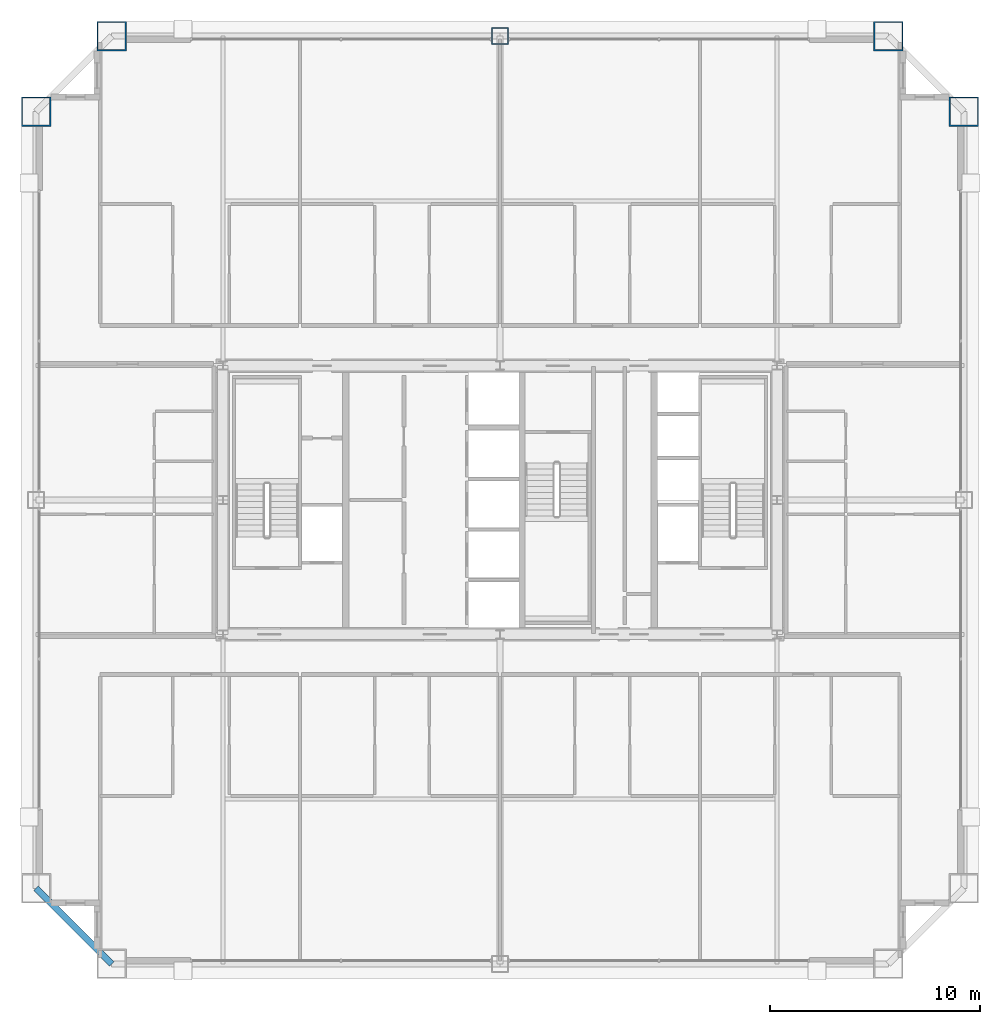
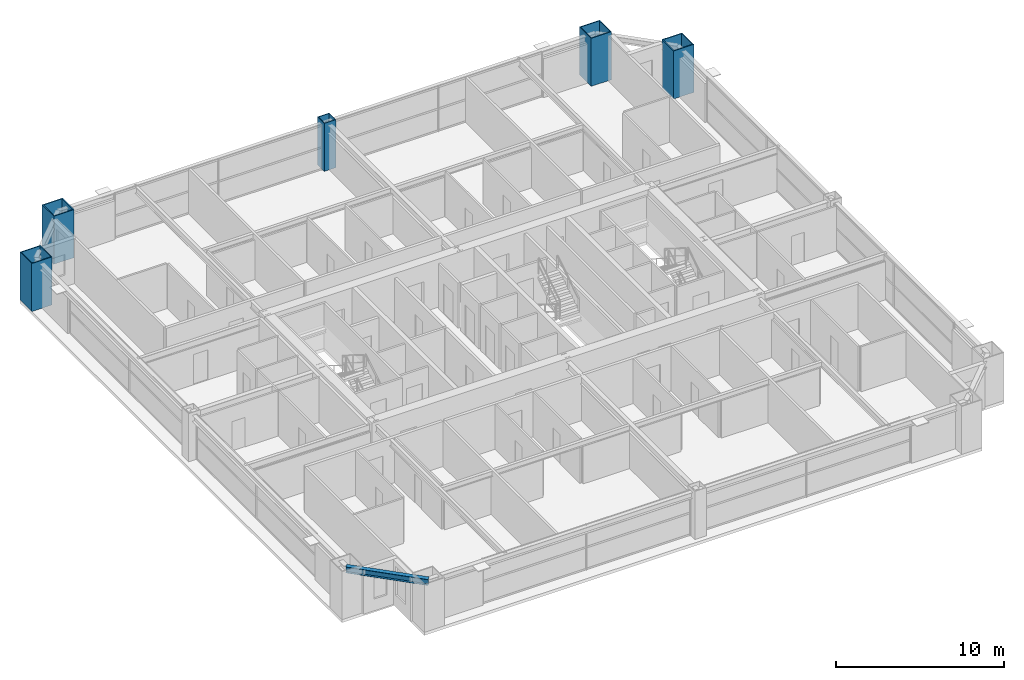
# One storey, part 3 of 38: 5 columns, 1 beam.
"""IFC4 building model written with IfcOpenShell, lengths in metres."""

from ifc_helpers import new_model, si_unit, direction, frame, origin, origin_2d, place, context, subcontext, project, spatial, hollow_rectangle, i_section, extrude, source, transform, mapped, material, material_profile, profile_set, type_object, element, save


model = new_model("IFC4")

# Units and contexts
model_context = context("Model", 3, precision=1e-05, world=origin(), true_north=direction((0.0, 1.0)))
body_context = subcontext(model_context, "Body", "Model", "MODEL_VIEW")
ifc_project = project(units=[si_unit("LENGTHUNIT", "METRE"), si_unit("AREAUNIT", "SQUARE_METRE"), si_unit("VOLUMEUNIT", "CUBIC_METRE"), si_unit("PLANEANGLEUNIT", "RADIAN"), si_unit("MASSUNIT", "GRAM", prefix="KILO"), si_unit("THERMODYNAMICTEMPERATUREUNIT", "KELVIN"), si_unit("POWERUNIT", "WATT")], contexts=[model_context])

# Site, building, storey
site_placement = place(None, origin())
site = spatial("IfcSite", under=ifc_project, at=site_placement, CompositionType="ELEMENT")
building_placement = place(site_placement, origin())
building = spatial("IfcBuilding", under=site, at=building_placement, Name="Yuzanri Waterfront Tower", CompositionType="ELEMENT")
storey_placement = place(building_placement, frame((0.0, 0.0, 188.0)))
storey = spatial("IfcBuildingStorey", under=building, at=storey_placement, Name="L49", CompositionType="ELEMENT", Elevation=188.0)

# Columns
ifc_material_1 = material(Name="Steel Q420GJC", Category="steel")
ifc_material_profile_1 = material_profile(ifc_material_1, hollow_rectangle(XDim=1.39990234375, YDim=1.39990234375, WallThickness=0.06005859375, at=origin_2d()), Name="RHS 1400x1400x60")
ifc_profile_set_1 = profile_set([ifc_material_profile_1], Name="Steel Q420GJC")
column_type_1 = type_object("IfcColumnType", Name="Mega Column Q420GJC RHS 1400x1400x60", PredefinedType="COLUMN", material=ifc_profile_set_1)
shared_shape_1 = source(origin(), body_context, "Body", "SweptSolid", [
    extrude(hollow_rectangle(XDim=1.39990234375, YDim=1.39990234375, WallThickness=0.06005859375, at=origin_2d()), origin(), (0.0, 0.0, 1.0), 3.5),
])
for number, where, z_axis, x_axis, name in (
    (1, (18.5, 47.89990234375, 0.0), (0.0, 0.0, 1.0), (1.0, 0.0, 0.0), "L49 Perimeter Mega Column N1"),
    (2, (55.5, 47.89990234375, 0.0), (0.0, 0.0, 1.0), (1.0, 0.0, 0.0), "L49 Perimeter Mega Column N3"),
    (3, (14.89990234375, 44.300048828125, 0.0), (0.0, 0.0, 1.0), (1.0, 0.0, 0.0), "L49 Perimeter Mega Column W3"),
    (4, (59.10009765625, 44.300048828125, 0.0), (0.0, 0.0, 1.0), (1.0, 0.0, 0.0), "L49 Perimeter Mega Column E3"),
):
    element("IfcColumn", number, at=place(storey_placement, frame(where, z_axis=z_axis, x_axis=x_axis)), inside=storey, type_object=column_type_1, Name=name, PredefinedType="COLUMN", context=body_context, shape_type="MappedRepresentation", body=[
        mapped(shared_shape_1, transform((0.0, 0.0, 0.0), scale=1.0)),
    ])
ifc_material_2 = material(Name="Steel Q390GJC", Category="steel")
ifc_material_profile_2 = material_profile(ifc_material_2, hollow_rectangle(XDim=0.800048828125, YDim=0.800048828125, WallThickness=0.035888671875, at=origin_2d()), Name="RHS 800x800x36")
ifc_profile_set_2 = profile_set([ifc_material_profile_2], Name="Steel Q390GJC")
column_type_2 = type_object("IfcColumnType", Name="Frame Column Q390GJC RHS 800x800x36", PredefinedType="COLUMN", material=ifc_profile_set_2)
shared_shape_2 = source(origin(), body_context, "Body", "SweptSolid", [
    extrude(hollow_rectangle(XDim=0.800048828125, YDim=0.800048828125, WallThickness=0.035888671875, at=origin_2d()), origin(), (0.0, 0.0, 1.0), 3.5),
])
column_placement = place(storey_placement, frame((37.0, 47.89990234375, 0.0), z_axis=(0.0, 0.0, 1.0), x_axis=(1.0, 0.0, 0.0)))
element("IfcColumn", 5, at=column_placement, inside=storey, type_object=column_type_2, Name="L49 Perimeter Frame Column N2", PredefinedType="COLUMN", context=body_context, shape_type="MappedRepresentation", body=[
    mapped(shared_shape_2, transform((0.0, 0.0, 0.0), scale=1.0)),
])

# Beam
ifc_material_3 = material(Name="Steel Q355B", Category="steel")
ifc_material_profile_3 = material_profile(ifc_material_3, i_section(OverallWidth=0.300048828125, OverallDepth=0.43994140625, WebThickness=0.010986328125, FlangeThickness=0.01806640625, at=origin_2d()), Name="HM 440x300x11x18")
ifc_profile_set_3 = profile_set([ifc_material_profile_3], Name="Steel Q355B")
beam_type = type_object("IfcBeamType", Name="Perimeter Spandrel Q355B HM 440x300", PredefinedType="SPANDREL", material=ifc_profile_set_3)
shared_shape_3 = source(origin(), body_context, "Body", "SweptSolid", [
    extrude(i_section(OverallWidth=0.300048828125, OverallDepth=0.43994140625, WebThickness=0.010986328125, FlangeThickness=0.01806640625, at=origin_2d()), origin(), (0.0, 0.0, 1.0), 5.09130859375),
])
beam_placement = place(storey_placement, frame((14.89990234375, 7.300048828125, 3.06005859375), z_axis=(0.707106781187, -0.707106781187, 0.0), x_axis=(0.707106781187, 0.707106781187, 0.0)))
element("IfcBeam", 6, at=beam_placement, inside=storey, type_object=beam_type, Name="L49 Perimeter Spandrel W1-S1", PredefinedType="SPANDREL", context=body_context, shape_type="MappedRepresentation", body=[
    mapped(shared_shape_3, transform((0.0, 0.0, 0.0), scale=1.0)),
])

save(model, "model.ifc")
